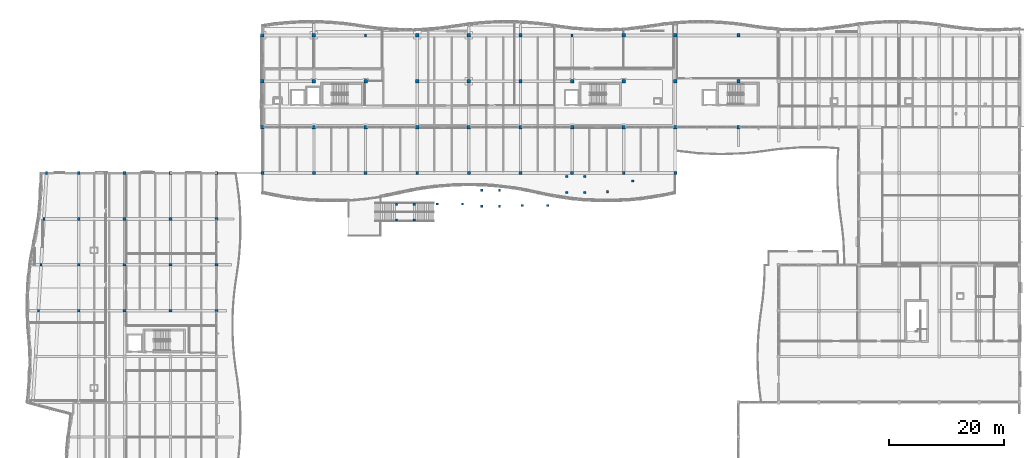
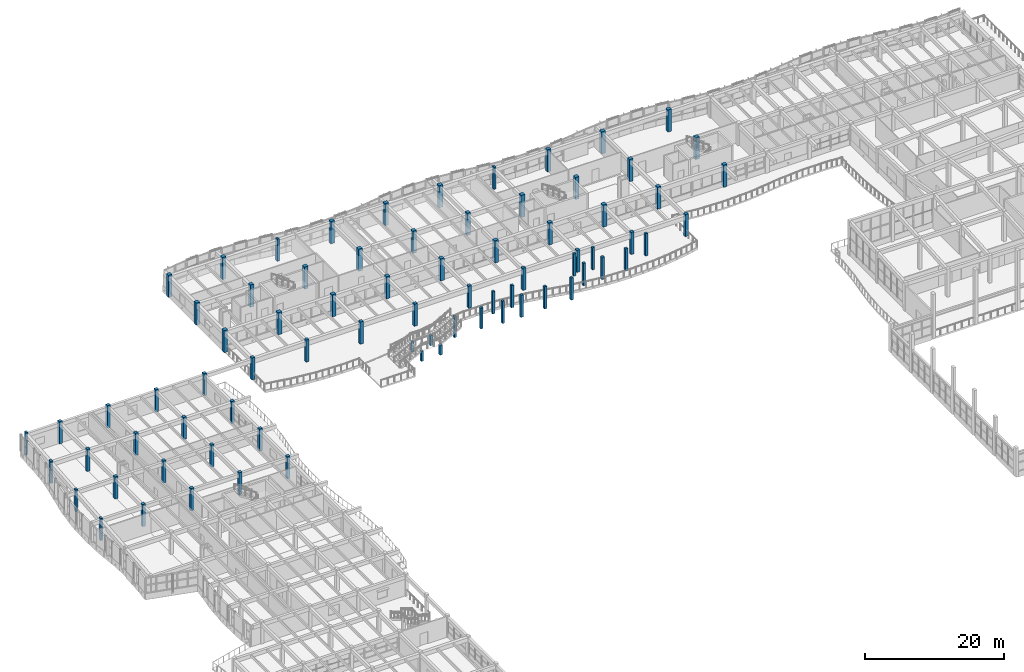
# One storey, part 2 of 89: 77 columns.
"""IFC4 building model written with IfcOpenShell, lengths in metres."""

from ifc_helpers import new_model, si_unit, direction, frame, origin, origin_2d, place, context, subcontext, project, spatial, rectangle, extrude, material, material_profile, profile_set, type_object, element, save


model = new_model("IFC4")

# Units and contexts
model_context = context("Model", 3, precision=1e-05, world=origin(), true_north=direction((0.0, 1.0)))
body_context = subcontext(model_context, "Body", "Model", "MODEL_VIEW")
ifc_project = project(units=[si_unit("LENGTHUNIT", "METRE"), si_unit("AREAUNIT", "SQUARE_METRE"), si_unit("VOLUMEUNIT", "CUBIC_METRE"), si_unit("PLANEANGLEUNIT", "RADIAN"), si_unit("MASSUNIT", "GRAM", prefix="KILO")], contexts=[model_context])

# Site, building, storey
site_placement = place(None, origin())
site = spatial("IfcSite", under=ifc_project, at=site_placement, CompositionType="ELEMENT")
building_placement = place(site_placement, origin())
building = spatial("IfcBuilding", under=site, at=building_placement, Name="Tonlespit Floodbar School", CompositionType="ELEMENT")
storey_placement = place(building_placement, frame((0.0, 0.0, 4.5)))
storey = spatial("IfcBuildingStorey", under=building, at=storey_placement, Name="L01", CompositionType="ELEMENT", Elevation=4.5)

# Columns
ifc_material = material(Name="Concrete C40/50", Category="concrete")
ifc_material_profile_1 = material_profile(ifc_material, rectangle(XDim=0.39990234375, YDim=0.39990234375, at=origin_2d()), Name="RC 400x400")
ifc_profile_set_1 = profile_set([ifc_material_profile_1], Name="Concrete C40/50")
column_type_1 = type_object("IfcColumnType", Name="Column_RC_400x400", PredefinedType="COLUMN", material=ifc_profile_set_1)
for number, where, z_axis, x_axis, name in (
    (1, (74.489990234375, 90.60009765625, 0.0), (0.0, 0.0, 1.0), (1.0, 0.0, 0.0), "L01 courtyard amphitheatre column ST-CT2-P1"),
    (2, (78.889892578125, 90.60009765625, 0.0), (0.0, 0.0, 1.0), (1.0, 0.0, 0.0), "L01 courtyard amphitheatre column ST-CT2-P2"),
):
    element("IfcColumn", number, at=place(storey_placement, frame(where, z_axis=z_axis, x_axis=x_axis)), inside=storey, type_object=column_type_1, Name=name, PredefinedType="COLUMN", context=body_context, shape_type="SweptSolid", body=[
        extrude(rectangle(XDim=0.39990234375, YDim=0.39990234375, at=origin_2d()), origin(), (0.0, 0.0, 1.0), 3.64794921875),
    ])
for number, where, z_axis, x_axis, name in (
    (3, (89.330078125, 90.35009765625, 0.0), (0.0, 0.0, 1.0), (1.0, 0.0, 0.0), "L01 courtyard amphitheatre column ST-CT3-P1"),
    (4, (93.72998046875, 90.35009765625, 0.0), (0.0, 0.0, 1.0), (1.0, 0.0, 0.0), "L01 courtyard amphitheatre column ST-CT3-P2"),
    (5, (104.169921875, 92.75, 0.0), (0.0, 0.0, 1.0), (1.0, 0.0, 0.0), "L01 courtyard amphitheatre column ST-CT4-P1"),
    (6, (108.570068359375, 94.60009765625, 0.0), (0.0, 0.0, 1.0), (1.0, 0.0, 0.0), "L01 courtyard amphitheatre column ST-CT4-P2"),
):
    element("IfcColumn", number, at=place(storey_placement, frame(where, z_axis=z_axis, x_axis=x_axis)), inside=storey, type_object=column_type_1, Name=name, PredefinedType="COLUMN", context=body_context, shape_type="SweptSolid", body=[
        extrude(rectangle(XDim=0.39990234375, YDim=0.39990234375, at=origin_2d()), origin(), (0.0, 0.0, 1.0), 3.89990234375),
    ])
for number, where, z_axis, x_axis, name in (
    (7, (67.39990234375, 87.820068359375, 0.0), (0.0, 0.0, 1.0), (1.0, 0.0, 0.0), "L01 stair ST-CT2 landing column 1"),
    (8, (70.5, 87.820068359375, 0.0), (0.0, 0.0, 1.0), (1.0, 0.0, 0.0), "L01 stair ST-CT2 landing column 2"),
    (9, (70.5, 90.580078125, 0.0), (0.0, 0.0, 1.0), (1.0, 0.0, 0.0), "L01 stair ST-CT2 landing column 3"),
    (10, (67.39990234375, 90.580078125, 0.0), (0.0, 0.0, 1.0), (1.0, 0.0, 0.0), "L01 stair ST-CT2 landing column 4"),
):
    element("IfcColumn", number, at=place(storey_placement, frame(where, z_axis=z_axis, x_axis=x_axis)), inside=storey, type_object=column_type_1, Name=name, PredefinedType="COLUMN", context=body_context, shape_type="SweptSolid", body=[
        extrude(rectangle(XDim=0.39990234375, YDim=0.39990234375, at=origin_2d()), origin(), (0.0, 0.0, 1.0), 1.75),
    ])
for number, where, z_axis, x_axis, name in (
    (11, (82.239990234375, 90.219970703125, 0.0), (0.0, 0.0, 1.0), (1.0, 0.0, 0.0), "L01 stair ST-CT3 landing column 1"),
    (12, (85.340087890625, 90.219970703125, 0.0), (0.0, 0.0, 1.0), (1.0, 0.0, 0.0), "L01 stair ST-CT3 landing column 2"),
    (13, (85.340087890625, 92.97998046875, 0.0), (0.0, 0.0, 1.0), (1.0, 0.0, 0.0), "L01 stair ST-CT3 landing column 3"),
    (14, (82.239990234375, 92.97998046875, 0.0), (0.0, 0.0, 1.0), (1.0, 0.0, 0.0), "L01 stair ST-CT3 landing column 4"),
    (15, (97.080078125, 92.6201171875, 0.0), (0.0, 0.0, 1.0), (1.0, 0.0, 0.0), "L01 stair ST-CT4 landing column 1"),
    (16, (100.179931640625, 92.6201171875, 0.0), (0.0, 0.0, 1.0), (1.0, 0.0, 0.0), "L01 stair ST-CT4 landing column 2"),
    (17, (100.179931640625, 95.3798828125, 0.0), (0.0, 0.0, 1.0), (1.0, 0.0, 0.0), "L01 stair ST-CT4 landing column 3"),
    (18, (97.080078125, 95.3798828125, 0.0), (0.0, 0.0, 1.0), (1.0, 0.0, 0.0), "L01 stair ST-CT4 landing column 4"),
):
    element("IfcColumn", number, at=place(storey_placement, frame(where, z_axis=z_axis, x_axis=x_axis)), inside=storey, type_object=column_type_1, Name=name, PredefinedType="COLUMN", context=body_context, shape_type="SweptSolid", body=[
        extrude(rectangle(XDim=0.39990234375, YDim=0.39990234375, at=origin_2d()), origin(), (0.0, 0.0, 1.0), 3.89990234375),
    ])
ifc_material_profile_2 = material_profile(ifc_material, rectangle(XDim=0.5, YDim=0.5, at=origin_2d()), Name="RC 500x500")
ifc_profile_set_2 = profile_set([ifc_material_profile_2], Name="Concrete C40/50")
column_type_2 = type_object("IfcColumnType", Name="Column_RC_500x500", PredefinedType="COLUMN", material=ifc_profile_set_2)
for number, where, z_axis, x_axis, name in (
    (19, (12.0, 72.0, 0.0), (0.0, 0.0, 1.0), (1.0, 0.0, 0.0), "L01 column U02/V11"),
    (20, (12.0, 80.0, 0.0), (0.0, 0.0, 1.0), (1.0, 0.0, 0.0), "L01 column U02/V12"),
    (21, (12.0, 88.0, 0.0), (0.0, 0.0, 1.0), (1.0, 0.0, 0.0), "L01 column U02/V13"),
    (22, (12.0, 96.0, 0.0), (0.0, 0.0, 1.0), (1.0, 0.0, 0.0), "L01 column U02/V14"),
    (23, (20.0, 72.0, 0.0), (0.0, 0.0, 1.0), (1.0, 0.0, 0.0), "L01 column U03/V11"),
    (24, (20.0, 80.0, 0.0), (0.0, 0.0, 1.0), (1.0, 0.0, 0.0), "L01 column U03/V12"),
    (25, (20.0, 88.0, 0.0), (0.0, 0.0, 1.0), (1.0, 0.0, 0.0), "L01 column U03/V13"),
    (26, (20.0, 96.0, 0.0), (0.0, 0.0, 1.0), (1.0, 0.0, 0.0), "L01 column U03/V14"),
    (27, (28.0, 72.0, 0.0), (0.0, 0.0, 1.0), (1.0, 0.0, 0.0), "L01 column U04/V11"),
    (28, (28.0, 80.0, 0.0), (0.0, 0.0, 1.0), (1.0, 0.0, 0.0), "L01 column U04/V12"),
    (29, (28.0, 88.0, 0.0), (0.0, 0.0, 1.0), (1.0, 0.0, 0.0), "L01 column U04/V13"),
    (30, (28.0, 96.0, 0.0), (0.0, 0.0, 1.0), (1.0, 0.0, 0.0), "L01 column U04/V14"),
    (31, (36.0, 72.0, 0.0), (0.0, 0.0, 1.0), (1.0, 0.0, 0.0), "L01 column U05/V11"),
    (32, (36.0, 80.0, 0.0), (0.0, 0.0, 1.0), (1.0, 0.0, 0.0), "L01 column U05/V12"),
    (33, (36.0, 88.0, 0.0), (0.0, 0.0, 1.0), (1.0, 0.0, 0.0), "L01 column U05/V13"),
    (34, (36.0, 96.0, 0.0), (0.0, 0.0, 1.0), (1.0, 0.0, 0.0), "L01 column U05/V14"),
    (35, (44.0, 96.0, 0.0), (0.0, 0.0, 1.0), (1.0, 0.0, 0.0), "L01 column U06/V14"),
    (36, (53.0, 96.0, 0.0), (0.0, 0.0, 1.0), (1.0, 0.0, 0.0), "L01 column U07/V14"),
    (37, (62.0, 96.0, 0.0), (0.0, 0.0, 1.0), (1.0, 0.0, 0.0), "L01 column U08/V14"),
    (38, (71.0, 96.0, 0.0), (0.0, 0.0, 1.0), (1.0, 0.0, 0.0), "L01 column U09/V14"),
    (39, (80.0, 96.0, 0.0), (0.0, 0.0, 1.0), (1.0, 0.0, 0.0), "L01 column U10/V14"),
    (40, (89.0, 96.0, 0.0), (0.0, 0.0, 1.0), (1.0, 0.0, 0.0), "L01 column U11/V14"),
    (41, (98.0, 96.0, 0.0), (0.0, 0.0, 1.0), (1.0, 0.0, 0.0), "L01 column U12/V14"),
    (42, (107.0, 96.0, 0.0), (0.0, 0.0, 1.0), (1.0, 0.0, 0.0), "L01 column U13/V14"),
    (43, (116.0, 96.0, 0.0), (0.0, 0.0, 1.0), (1.0, 0.0, 0.0), "L01 column U14/V14"),
):
    element("IfcColumn", number, at=place(storey_placement, frame(where, z_axis=z_axis, x_axis=x_axis)), inside=storey, type_object=column_type_2, Name=name, PredefinedType="COLUMN", context=body_context, shape_type="SweptSolid", body=[
        extrude(rectangle(XDim=0.5, YDim=0.5, at=origin_2d()), origin(), (0.0, 0.0, 1.0), 3.89990234375),
    ])
ifc_material_profile_3 = material_profile(ifc_material, rectangle(XDim=0.60009765625, YDim=0.60009765625, at=origin_2d()), Name="RC 600x600")
ifc_profile_set_3 = profile_set([ifc_material_profile_3], Name="Concrete C40/50")
column_type_3 = type_object("IfcColumnType", Name="Column_RC_600x600", PredefinedType="COLUMN", material=ifc_profile_set_3)
for number, where, z_axis, x_axis, name in (
    (44, (44.0, 104.0, 0.0), (0.0, 0.0, 1.0), (1.0, 0.0, 0.0), "L01 column U06/V15"),
    (45, (44.0, 112.0, 0.0), (0.0, 0.0, 1.0), (1.0, 0.0, 0.0), "L01 column U06/V16"),
    (46, (44.0, 120.0, 0.0), (0.0, 0.0, 1.0), (1.0, 0.0, 0.0), "L01 column U06/V17"),
    (47, (53.0, 104.0, 0.0), (0.0, 0.0, 1.0), (1.0, 0.0, 0.0), "L01 column U07/V15"),
    (48, (53.0, 112.0, 0.0), (0.0, 0.0, 1.0), (1.0, 0.0, 0.0), "L01 column U07/V16"),
    (49, (53.0, 120.0, 0.0), (0.0, 0.0, 1.0), (1.0, 0.0, 0.0), "L01 column U07/V17"),
    (50, (62.0, 104.0, 0.0), (0.0, 0.0, 1.0), (1.0, 0.0, 0.0), "L01 column U08/V15"),
    (51, (62.0, 112.0, 0.0), (0.0, 0.0, 1.0), (1.0, 0.0, 0.0), "L01 column U08/V16"),
    (52, (71.0, 104.0, 0.0), (0.0, 0.0, 1.0), (1.0, 0.0, 0.0), "L01 column U09/V15"),
    (53, (71.0, 112.0, 0.0), (0.0, 0.0, 1.0), (1.0, 0.0, 0.0), "L01 column U09/V16"),
    (54, (71.0, 120.0, 0.0), (0.0, 0.0, 1.0), (1.0, 0.0, 0.0), "L01 column U09/V17"),
    (55, (80.0, 104.0, 0.0), (0.0, 0.0, 1.0), (1.0, 0.0, 0.0), "L01 column U10/V15"),
    (56, (80.0, 112.0, 0.0), (0.0, 0.0, 1.0), (1.0, 0.0, 0.0), "L01 column U10/V16"),
    (57, (80.0, 120.0, 0.0), (0.0, 0.0, 1.0), (1.0, 0.0, 0.0), "L01 column U10/V17"),
    (58, (89.0, 104.0, 0.0), (0.0, 0.0, 1.0), (1.0, 0.0, 0.0), "L01 column U11/V15"),
    (59, (89.0, 112.0, 0.0), (0.0, 0.0, 1.0), (1.0, 0.0, 0.0), "L01 column U11/V16"),
    (60, (89.0, 120.0, 0.0), (0.0, 0.0, 1.0), (1.0, 0.0, 0.0), "L01 column U11/V17"),
    (61, (98.0, 104.0, 0.0), (0.0, 0.0, 1.0), (1.0, 0.0, 0.0), "L01 column U12/V15"),
    (62, (98.0, 112.0, 0.0), (0.0, 0.0, 1.0), (1.0, 0.0, 0.0), "L01 column U12/V16"),
    (63, (107.0, 104.0, 0.0), (0.0, 0.0, 1.0), (1.0, 0.0, 0.0), "L01 column U13/V15"),
    (64, (107.0, 112.0, 0.0), (0.0, 0.0, 1.0), (1.0, 0.0, 0.0), "L01 column U13/V16"),
    (65, (107.0, 120.0, 0.0), (0.0, 0.0, 1.0), (1.0, 0.0, 0.0), "L01 column U13/V17"),
    (66, (116.0, 104.0, 0.0), (0.0, 0.0, 1.0), (1.0, 0.0, 0.0), "L01 column U14/V15"),
    (67, (116.0, 112.0, 0.0), (0.0, 0.0, 1.0), (1.0, 0.0, 0.0), "L01 column U14/V16"),
    (68, (116.0, 120.0, 0.0), (0.0, 0.0, 1.0), (1.0, 0.0, 0.0), "L01 column U14/V17"),
    (69, (127.0, 104.0, 0.0), (0.0, 0.0, 1.0), (1.0, 0.0, 0.0), "L01 column U15/V15"),
    (70, (127.0, 112.0, 0.0), (0.0, 0.0, 1.0), (1.0, 0.0, 0.0), "L01 column U15/V16"),
    (71, (127.0, 120.0, 0.0), (0.0, 0.0, 1.0), (1.0, 0.0, 0.0), "L01 column U15/V17"),
):
    element("IfcColumn", number, at=place(storey_placement, frame(where, z_axis=z_axis, x_axis=x_axis)), inside=storey, type_object=column_type_3, Name=name, PredefinedType="COLUMN", context=body_context, shape_type="SweptSolid", body=[
        extrude(rectangle(XDim=0.60009765625, YDim=0.60009765625, at=origin_2d()), origin(), (0.0, 0.0, 1.0), 3.89990234375),
    ])
ifc_material_profile_4 = material_profile(ifc_material, rectangle(XDim=0.35009765625, YDim=0.5, at=origin_2d()), Name="RC 350x500")
ifc_profile_set_4 = profile_set([ifc_material_profile_4], Name="Concrete C40/50")
column_type_4 = type_object("IfcColumnType", Name="Pilaster_RC_350x500", PredefinedType="PILASTER", material=ifc_profile_set_4)
for number, where, z_axis, x_axis, name in (
    (72, (4.9599609375, 72.0, 0.0), (0.0, 0.0, 1.0), (1.0, 0.0, 0.0), "L01 column U01S/V11"),
    (73, (5.43994140625, 80.0, 0.0), (0.0, 0.0, 1.0), (1.0, 0.0, 0.0), "L01 column U01S/V12"),
    (74, (5.919921875, 88.0, 0.0), (0.0, 0.0, 1.0), (1.0, 0.0, 0.0), "L01 column U01S/V13"),
    (75, (6.39990234375, 96.0, 0.0), (0.0, 0.0, 1.0), (1.0, 0.0, 0.0), "L01 column U01S/V14"),
    (76, (62.0, 120.0, 0.0), (0.0, 0.0, 1.0), (1.0, 0.0, 0.0), "L01 column U08/V17"),
    (77, (98.0, 120.0, 0.0), (0.0, 0.0, 1.0), (1.0, 0.0, 0.0), "L01 column U12/V17"),
):
    element("IfcColumn", number, at=place(storey_placement, frame(where, z_axis=z_axis, x_axis=x_axis)), inside=storey, type_object=column_type_4, Name=name, PredefinedType="PILASTER", context=body_context, shape_type="SweptSolid", body=[
        extrude(rectangle(XDim=0.35009765625, YDim=0.5, at=origin_2d()), origin(), (0.0, 0.0, 1.0), 3.89990234375),
    ])

save(model, "model.ifc")
